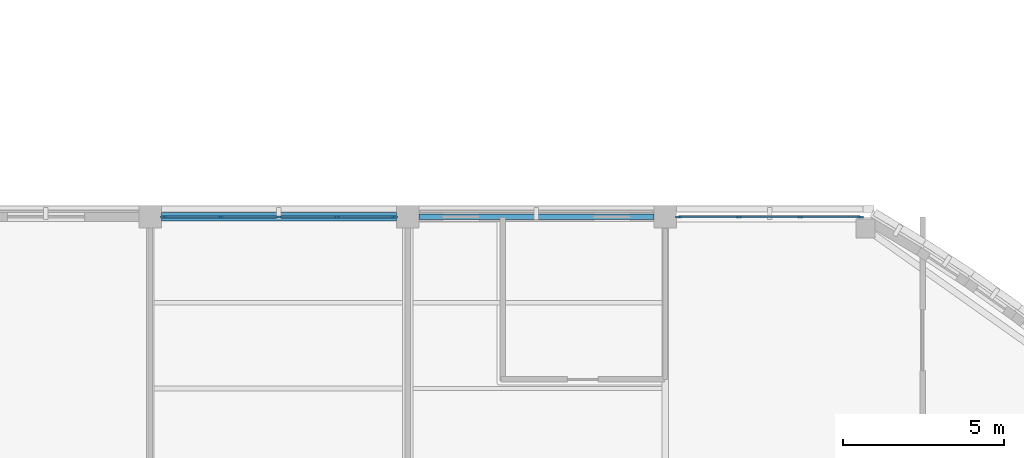
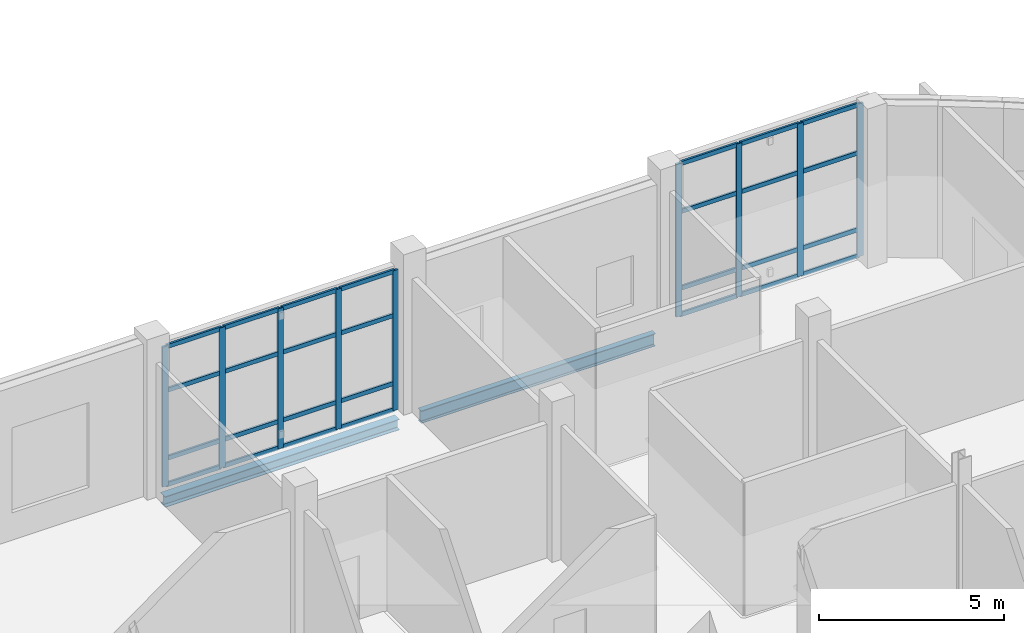
# One storey, part 32 of 105: 37 members, 2 beams, 2 elements without a shape of their own.
"""IFC4 building model written with IfcOpenShell, lengths in metres."""

import ifcopenshell
import ifcopenshell.guid

model = None  # the IFC model being written
_history = None  # IfcOwnerHistory: only IFC2X3 demands one
_inside = {}  # id of a spatial element -> (the spatial element, [elements in it])
_under = {}  # id of a project, library or spatial element -> (it, [spatial elements below it])
_declared = {}  # id of a project -> (the project, [libraries it declares])
_typed = {}  # id of a type object -> (the type object, [elements of that type])
_made_of = {}  # id of a material, layer set ... -> (it, [elements and type objects made of it])


def new_model(schema):
    """Start an empty IFC model of exactly this schema.

    Asked for "IFC4X3", IfcOpenShell would pick the latest addendum, in which some entities
    have other attributes; the version numbers below select the first issue.
    IFC2X3 requires an IfcOwnerHistory on every rooted entity: one is made here for all.
    """
    global model, _history
    if schema == "IFC4X3":
        model = ifcopenshell.file(schema_version=(4, 3, 0, 0))
    else:
        model = ifcopenshell.file(schema=schema)
    _inside.clear()
    _under.clear()
    _declared.clear()
    _typed.clear()
    _made_of.clear()
    _history = None
    if model.schema == "IFC2X3":
        org = make("IfcOrganization", Name="unknown")
        user = make(
            "IfcPersonAndOrganization",
            ThePerson=make("IfcPerson", FamilyName="unknown"),
            TheOrganization=org,
        )
        app = make(
            "IfcApplication",
            ApplicationDeveloper=org,
            Version="unknown",
            ApplicationFullName="unknown",
            ApplicationIdentifier="unknown",
        )
        _history = make(
            "IfcOwnerHistory",
            OwningUser=user,
            OwningApplication=app,
            ChangeAction="ADDED",
            CreationDate=0,
        )
    return model


def make(cls, **values):
    """One entity of the class cls with the attributes given. An attribute that is None is left unset."""
    return model.create_entity(
        cls, **{name: value for name, value in values.items() if value is not None}
    )


def rooted(cls, **values):
    """An entity with a GlobalId (a new one), such as an element, a storey or a relation."""
    return make(cls, GlobalId=ifcopenshell.guid.new(), OwnerHistory=_history, **values)


def si_unit(unit_type, name, prefix=None):
    """IfcSIUnit, for example si_unit("LENGTHUNIT", "METRE", prefix="MILLI")."""
    return make("IfcSIUnit", UnitType=unit_type, Prefix=prefix, Name=name)


def derived_unit(unit_type, elements):
    """IfcDerivedUnit: a product of units, each with its exponent."""
    return make(
        "IfcDerivedUnit",
        Elements=[
            make("IfcDerivedUnitElement", Unit=unit, Exponent=power)
            for unit, power in elements
        ],
        UnitType=unit_type,
    )


def assignment(units):
    """IfcUnitAssignment: the units of a project."""
    return None if units is None else make("IfcUnitAssignment", Units=units)


def point(xyz):
    """IfcCartesianPoint."""
    return None if xyz is None else make("IfcCartesianPoint", Coordinates=xyz)


def direction(xyz):
    """IfcDirection."""
    return None if xyz is None else make("IfcDirection", DirectionRatios=xyz)


def frame(location, z_axis=None, x_axis=None):
    """IfcAxis2Placement3D, a coordinate frame: its origin and axes. An axis left out is left unset."""
    return make(
        "IfcAxis2Placement3D",
        Location=point(location),
        Axis=direction(z_axis),
        RefDirection=direction(x_axis),
    )


def frame_2d(location, x_axis=None):
    """IfcAxis2Placement2D, a coordinate frame in the plane: its origin and x axis."""
    return make(
        "IfcAxis2Placement2D", Location=point(location), RefDirection=direction(x_axis)
    )


def origin():
    """The frame at (0, 0, 0) with its axes left unset."""
    return frame((0.0, 0.0, 0.0))


def origin_2d():
    """The frame at (0, 0) in the plane with its x axis left unset."""
    return frame_2d((0.0, 0.0))


def place(relative_to, where):
    """IfcLocalPlacement: puts the frame where relative to a parent placement (None: the world)."""
    return make(
        "IfcLocalPlacement", PlacementRelTo=relative_to, RelativePlacement=where
    )


def context(
    kind, dimensions, precision=None, world=None, true_north=None, identifier=None
):
    """IfcGeometricRepresentationContext, for example the 3D "Model" context."""
    return make(
        "IfcGeometricRepresentationContext",
        ContextIdentifier=identifier,
        ContextType=kind,
        CoordinateSpaceDimension=dimensions,
        Precision=precision,
        WorldCoordinateSystem=world,
        TrueNorth=true_north,
    )


def subcontext(parent, identifier, kind, view, scale=None):
    """IfcGeometricRepresentationSubContext, for example "Body" below "Model"."""
    return make(
        "IfcGeometricRepresentationSubContext",
        ContextIdentifier=identifier,
        ContextType=kind,
        ParentContext=parent,
        TargetScale=scale,
        TargetView=view,
    )


def project(units=None, contexts=None):
    """IfcProject with its units and contexts."""
    return rooted(
        "IfcProject",
        Name="project",
        RepresentationContexts=contexts,
        UnitsInContext=assignment(units),
    )


def spatial(cls, under=None, at=None, **own):
    """A site, building, storey or space (cls), placed at a placement, below another one or the project."""
    s = rooted(cls, ObjectPlacement=at, **own)
    if under is not None:
        _under.setdefault(under.id(), (under, []))[1].append(s)
    return s


def profile(cls, at=None, kind="AREA", **sizes):
    """A parametric profile (cls). Its sizes go by their IFC names, for example OverallWidth=200.0."""
    return make(cls, ProfileType=kind, Position=at, **sizes)


def rectangle(**sizes):
    """IfcRectangleProfileDef."""
    return profile("IfcRectangleProfileDef", **sizes)


def i_section(**sizes):
    """IfcIShapeProfileDef."""
    return profile("IfcIShapeProfileDef", **sizes)


def extrude(swept, where, along, depth):
    """IfcExtrudedAreaSolid: the profile swept, set in the frame where, extruded along a direction by depth."""
    return make(
        "IfcExtrudedAreaSolid",
        SweptArea=swept,
        Position=where,
        ExtrudedDirection=direction(along),
        Depth=depth,
    )


def shape(context_of_items, identifier, shape_type, items):
    """IfcShapeRepresentation: the items that make up one representation, for example the "Body"."""
    return make(
        "IfcShapeRepresentation",
        ContextOfItems=context_of_items,
        RepresentationIdentifier=identifier,
        RepresentationType=shape_type,
        Items=items,
    )


def material(Name=None, Category=None):
    """IfcMaterial."""
    return make("IfcMaterial", Name=Name, Category=Category)


def layer(
    of_material, thickness, ventilated=None, Name=None, Category=None, Priority=None
):
    """IfcMaterialLayer: one layer of a wall or slab, of a material (None: an air gap)."""
    return make(
        "IfcMaterialLayer",
        Material=of_material,
        LayerThickness=thickness,
        IsVentilated=ventilated,
        Name=Name,
        Category=Category,
        Priority=Priority,
    )


def layer_set(layers, Name=None):
    """IfcMaterialLayerSet."""
    return make("IfcMaterialLayerSet", MaterialLayers=layers, LayerSetName=Name)


def material_profile(
    of_material, cross_section, Name=None, Category=None, Priority=None
):
    """IfcMaterialProfile: a cross section and its material."""
    return make(
        "IfcMaterialProfile",
        Name=Name,
        Material=of_material,
        Profile=cross_section,
        Priority=Priority,
        Category=Category,
    )


def profile_set(profiles, Name=None, composite=None):
    """IfcMaterialProfileSet."""
    return make(
        "IfcMaterialProfileSet",
        Name=Name,
        MaterialProfiles=profiles,
        CompositeProfile=composite,
    )


def made_of(thing, what):
    """Note that an element or type object is made of a material, layer set ...; save() writes the relation."""
    if what is not None:
        _made_of.setdefault(what.id(), (what, []))[1].append(thing)
    return thing


def type_object(cls, material=None, **own):
    """A type object (cls), such as IfcWallType, which elements share."""
    return made_of(rooted(cls, **own), material)


def element(
    cls,
    number,
    at=None,
    inside=None,
    cuts=None,
    type_object=None,
    material=None,
    context=None,
    identifier="Body",
    shape_type=None,
    held_by="IfcProductDefinitionShape",
    body=None,
    shapes=None,
    **own,
):
    """One element of the class cls, such as IfcWall. Its Tag is "e" and its number.

    at: its placement. inside: the storey or other place that contains it. cuts: it is an
    opening in that element (IfcRelVoidsElement). A single representation is given by context,
    identifier, shape_type and body (its items); several are given by shapes. held_by: the class
    of the entity that holds the representations. save() writes the other relations.
    """
    e = rooted(cls, Tag="e%d" % number, ObjectPlacement=at, **own)
    if body is not None:
        shapes = [shape(context, identifier, shape_type, body)]
    if shapes is not None:
        e.Representation = make(held_by, Representations=shapes)
    if inside is not None:
        _inside.setdefault(inside.id(), (inside, []))[1].append(e)
    if cuts is not None:
        rooted(
            "IfcRelVoidsElement", RelatingBuildingElement=cuts, RelatedOpeningElement=e
        )
    if type_object is not None:
        _typed.setdefault(type_object.id(), (type_object, []))[1].append(e)
    return made_of(e, material)


def aggregate(whole, parts):
    """IfcRelAggregates: a whole, such as a stair, and the parts it consists of."""
    return rooted("IfcRelAggregates", RelatingObject=whole, RelatedObjects=parts)


def save(model, path):
    """Write the relations noted so far, then the file.

    IfcRelAggregates (storeys below a building ...), IfcRelContainedInSpatialStructure (elements
    in a storey), IfcRelDefinesByType, IfcRelAssociatesMaterial and IfcRelDeclares: one each for
    every whole, place, type object, material and project.
    """
    for whole, parts in _under.values():
        aggregate(whole, parts)
    for where, things in _inside.values():
        rooted(
            "IfcRelContainedInSpatialStructure",
            RelatedElements=things,
            RelatingStructure=where,
        )
    for kind, things in _typed.values():
        rooted("IfcRelDefinesByType", RelatedObjects=things, RelatingType=kind)
    for what, things in _made_of.values():
        rooted("IfcRelAssociatesMaterial", RelatedObjects=things, RelatingMaterial=what)
    for by, libraries in _declared.values():
        rooted("IfcRelDeclares", RelatingContext=by, RelatedDefinitions=libraries)
    model.write(path)


model = new_model("IFC4")

# Units and contexts
model_context = context("Model", 3, precision=1e-05, world=origin(), true_north=direction((0.0, 1.0)))
body_context = subcontext(model_context, "Body", "Model", "MODEL_VIEW")
ifc_project = project(units=[si_unit("LENGTHUNIT", "METRE"), si_unit("AREAUNIT", "SQUARE_METRE"), si_unit("VOLUMEUNIT", "CUBIC_METRE"), si_unit("PLANEANGLEUNIT", "RADIAN"), si_unit("MASSUNIT", "GRAM", prefix="KILO"), derived_unit("THERMALTRANSMITTANCEUNIT", [(si_unit("MASSUNIT", "GRAM", prefix="KILO"), 1), (si_unit("TIMEUNIT", "SECOND"), -3), (si_unit("THERMODYNAMICTEMPERATUREUNIT", "KELVIN"), -1)])], contexts=[model_context])

# Site, building, storey
site_placement = place(None, origin())
site = spatial("IfcSite", under=ifc_project, at=site_placement, CompositionType="ELEMENT")
building_placement = place(site_placement, origin())
building = spatial("IfcBuilding", under=site, at=building_placement, Name="Veyamyaing Civic Hall", CompositionType="ELEMENT")
storey_placement = place(building_placement, origin())
storey = spatial("IfcBuildingStorey", under=building, at=storey_placement, Name="L00", CompositionType="ELEMENT", Elevation=0.0)

# Beams
ifc_material_1 = material(Name="Steel ASTM A992", Category="steel")
ifc_material_profile_1 = material_profile(ifc_material_1, i_section(OverallWidth=0.179931640625, OverallDepth=0.4130859375, WebThickness=0.009765625, FlangeThickness=0.01611328125, FilletRadius=0.010009765625, at=origin_2d()), Name="W410X74")
ifc_profile_set_1 = profile_set([ifc_material_profile_1], Name="Steel ASTM A992")
beam_type_1 = type_object("IfcBeamType", Name="B-10", PredefinedType="SPANDREL", material=ifc_profile_set_1)
beam_1_placement = place(storey_placement, frame((88.35009765625, 96.0, -0.471435546875), z_axis=(1.0, 0.0, 0.0), x_axis=(0.0, 1.0, 0.0)))
element("IfcBeam", 1, at=beam_1_placement, inside=storey, type_object=beam_type_1, Name="Girder B-10 L00 Grid N 12-13", PredefinedType="SPANDREL", context=body_context, shape_type="SweptSolid", body=[
    extrude(i_section(OverallWidth=0.179931640625, OverallDepth=0.4130859375, WebThickness=0.009765625, FlangeThickness=0.01611328125, FilletRadius=0.010009765625, at=origin_2d()), origin(), (0.0, 0.0, 1.0), 7.2998046875),
])
ifc_material_profile_2 = material_profile(ifc_material_1, i_section(OverallWidth=0.25390625, OverallDepth=0.35302734375, WebThickness=0.009521484375, FlangeThickness=0.016357421875, FilletRadius=0.011962890625, at=origin_2d()), Name="W360X91")
ifc_profile_set_2 = profile_set([ifc_material_profile_2], Name="Steel ASTM A992")
beam_type_2 = type_object("IfcBeamType", Name="B-20", PredefinedType="SPANDREL", material=ifc_profile_set_2)
beam_2_placement = place(storey_placement, frame((80.35009765625, 96.0, -0.44140625), z_axis=(1.0, 0.0, 0.0), x_axis=(0.0, 1.0, 0.0)))
element("IfcBeam", 2, at=beam_2_placement, inside=storey, type_object=beam_type_2, Name="Girder B-20 L00 Grid N 11-12", PredefinedType="SPANDREL", context=body_context, shape_type="SweptSolid", body=[
    extrude(i_section(OverallWidth=0.25390625, OverallDepth=0.35302734375, WebThickness=0.009521484375, FlangeThickness=0.016357421875, FilletRadius=0.011962890625, at=origin_2d()), origin(), (0.0, 0.0, 1.0), 7.2998046875),
])

# Curtain wall, members
ifc_material_2 = material(Name="Anodised aluminium 6063-T6", Category="aluminium")
ifc_layer = layer(ifc_material_2, 0.179931640625, Name="Anodised aluminium 6063-T6")
ifc_layer_set = layer_set([ifc_layer], Name="Anodised aluminium 6063-T6")
curtain_wall_type = type_object("IfcCurtainWallType", Name="CW-06", PredefinedType="NOTDEFINED", material=ifc_layer_set)
curtain_wall_1_placement = place(storey_placement, origin())
curtain_wall_1 = element("IfcCurtainWall", 3, at=curtain_wall_1_placement, inside=storey, type_object=curtain_wall_type, Name="Unitized curtain wall CW-06 L00 N 11.12", PredefinedType="NOTDEFINED")
ifc_material_profile_3 = material_profile(ifc_material_2, rectangle(XDim=0.06494140625, YDim=0.179931640625, at=origin_2d()), Name="ALU-MUL-65X180")
ifc_profile_set_3 = profile_set([ifc_material_profile_3], Name="Anodised aluminium 6063-T6")
member_type_1 = type_object("IfcMemberType", Name="CWM-02", PredefinedType="MULLION", material=ifc_profile_set_3)
member_1_placement = place(storey_placement, frame((80.41259765625, 96.0, 0.0), z_axis=(0.0, 0.0, 1.0), x_axis=(0.0, 1.0, 0.0)))
member_1 = element("IfcMember", 4, at=member_1_placement, type_object=member_type_1, Name="CW-06 mullion 1", PredefinedType="MULLION", context=body_context, shape_type="SweptSolid", body=[
    extrude(rectangle(XDim=0.06494140625, YDim=0.179931640625, at=origin_2d()), origin(), (0.0, 0.0, 1.0), 4.614013671875),
])
member_2_placement = place(storey_placement, frame((82.18994140625, 96.0, 0.0), z_axis=(0.0, 0.0, 1.0), x_axis=(0.0, 1.0, 0.0)))
member_2 = element("IfcMember", 5, at=member_2_placement, type_object=member_type_1, Name="CW-06 mullion 2", PredefinedType="MULLION", context=body_context, shape_type="SweptSolid", body=[
    extrude(rectangle(XDim=0.06494140625, YDim=0.179931640625, at=origin_2d()), origin(), (0.0, 0.0, 1.0), 4.614013671875),
])
member_3_placement = place(storey_placement, frame((84.0, 96.0, 0.0), z_axis=(0.0, 0.0, 1.0), x_axis=(0.0, 1.0, 0.0)))
member_3 = element("IfcMember", 6, at=member_3_placement, type_object=member_type_1, Name="CW-06 mullion 3", PredefinedType="MULLION", context=body_context, shape_type="SweptSolid", body=[
    extrude(rectangle(XDim=0.06494140625, YDim=0.179931640625, at=origin_2d()), origin(), (0.0, 0.0, 1.0), 4.614013671875),
])
member_4_placement = place(storey_placement, frame((85.81005859375, 96.0, 0.0), z_axis=(0.0, 0.0, 1.0), x_axis=(0.0, 1.0, 0.0)))
member_4 = element("IfcMember", 7, at=member_4_placement, type_object=member_type_1, Name="CW-06 mullion 4", PredefinedType="MULLION", context=body_context, shape_type="SweptSolid", body=[
    extrude(rectangle(XDim=0.06494140625, YDim=0.179931640625, at=origin_2d()), origin(), (0.0, 0.0, 1.0), 4.614013671875),
])
member_5_placement = place(storey_placement, frame((87.58740234375, 96.0, 0.0), z_axis=(0.0, 0.0, 1.0), x_axis=(0.0, 1.0, 0.0)))
member_5 = element("IfcMember", 8, at=member_5_placement, type_object=member_type_1, Name="CW-06 mullion 5", PredefinedType="MULLION", context=body_context, shape_type="SweptSolid", body=[
    extrude(rectangle(XDim=0.06494140625, YDim=0.179931640625, at=origin_2d()), origin(), (0.0, 0.0, 1.0), 4.614013671875),
])

curtain_wall_2_placement = place(storey_placement, origin())
curtain_wall_2 = element("IfcCurtainWall", 9, at=curtain_wall_2_placement, inside=storey, type_object=curtain_wall_type, Name="Unitized curtain wall CW-06 L00 N 13.12", PredefinedType="NOTDEFINED")
member_6_placement = place(storey_placement, frame((96.41259765625, 96.0, 0.0), z_axis=(0.0, 0.0, 1.0), x_axis=(0.0, 1.0, 0.0)))
member_6 = element("IfcMember", 10, at=member_6_placement, type_object=member_type_1, Name="CW-06 mullion 1", PredefinedType="MULLION", context=body_context, shape_type="SweptSolid", body=[
    extrude(rectangle(XDim=0.06494140625, YDim=0.179931640625, at=origin_2d()), origin(), (0.0, 0.0, 1.0), 5.034912109375),
])
member_7_placement = place(storey_placement, frame((98.286865234375, 96.0, 0.0), z_axis=(0.0, 0.0, 1.0), x_axis=(0.0, 1.0, 0.0)))
member_7 = element("IfcMember", 11, at=member_7_placement, type_object=member_type_1, Name="CW-06 mullion 2", PredefinedType="MULLION", context=body_context, shape_type="SweptSolid", body=[
    extrude(rectangle(XDim=0.06494140625, YDim=0.179931640625, at=origin_2d()), origin(), (0.0, 0.0, 1.0), 5.034912109375),
])
member_8_placement = place(storey_placement, frame((100.19384765625, 96.0, 0.0), z_axis=(0.0, 0.0, 1.0), x_axis=(0.0, 1.0, 0.0)))
member_8 = element("IfcMember", 12, at=member_8_placement, type_object=member_type_1, Name="CW-06 mullion 3", PredefinedType="MULLION", context=body_context, shape_type="SweptSolid", body=[
    extrude(rectangle(XDim=0.06494140625, YDim=0.179931640625, at=origin_2d()), origin(), (0.0, 0.0, 1.0), 5.034912109375),
])
member_9_placement = place(storey_placement, frame((102.068359375, 96.0, 0.0), z_axis=(0.0, 0.0, 1.0), x_axis=(0.0, 1.0, 0.0)))
member_9 = element("IfcMember", 13, at=member_9_placement, type_object=member_type_1, Name="CW-06 mullion 4", PredefinedType="MULLION", context=body_context, shape_type="SweptSolid", body=[
    extrude(rectangle(XDim=0.06494140625, YDim=0.179931640625, at=origin_2d()), origin(), (0.0, 0.0, 1.0), 5.034912109375),
])

# Member
ifc_material_profile_4 = material_profile(ifc_material_2, rectangle(XDim=0.06494140625, YDim=0.139892578125, at=origin_2d()), Name="ALU-TRN-65X140")
ifc_profile_set_4 = profile_set([ifc_material_profile_4], Name="Anodised aluminium 6063-T6")
member_type_2 = type_object("IfcMemberType", Name="CWT-02", PredefinedType="USERDEFINED", material=ifc_profile_set_4)
member_10_placement = place(storey_placement, frame((80.445068359375, 96.0, 0.032470703125), z_axis=(1.0, 0.0, 0.0), x_axis=(0.0, 1.0, 0.0)))
member_10 = element("IfcMember", 14, at=member_10_placement, type_object=member_type_2, Name="CW-06 transom 1.1", ObjectType="TRANSOM", PredefinedType="USERDEFINED", context=body_context, shape_type="SweptSolid", body=[
    extrude(rectangle(XDim=0.06494140625, YDim=0.139892578125, at=origin_2d()), origin(), (0.0, 0.0, 1.0), 1.71240234375),
])

member_11_placement = place(storey_placement, frame((80.445068359375, 96.0, 0.89990234375), z_axis=(1.0, 0.0, 0.0), x_axis=(0.0, 1.0, 0.0)))
member_11 = element("IfcMember", 15, at=member_11_placement, type_object=member_type_2, Name="CW-06 transom 1.2", ObjectType="TRANSOM", PredefinedType="USERDEFINED", context=body_context, shape_type="SweptSolid", body=[
    extrude(rectangle(XDim=0.06494140625, YDim=0.139892578125, at=origin_2d()), origin(), (0.0, 0.0, 1.0), 1.71240234375),
])

member_12_placement = place(storey_placement, frame((80.445068359375, 96.0, 3.137451171875), z_axis=(1.0, 0.0, 0.0), x_axis=(0.0, 1.0, 0.0)))
member_12 = element("IfcMember", 16, at=member_12_placement, type_object=member_type_2, Name="CW-06 transom 1.3", ObjectType="TRANSOM", PredefinedType="USERDEFINED", context=body_context, shape_type="SweptSolid", body=[
    extrude(rectangle(XDim=0.06494140625, YDim=0.139892578125, at=origin_2d()), origin(), (0.0, 0.0, 1.0), 1.71240234375),
])

member_13_placement = place(storey_placement, frame((80.445068359375, 96.0, 4.58154296875), z_axis=(1.0, 0.0, 0.0), x_axis=(0.0, 1.0, 0.0)))
member_13 = element("IfcMember", 17, at=member_13_placement, type_object=member_type_2, Name="CW-06 transom 1.4", ObjectType="TRANSOM", PredefinedType="USERDEFINED", context=body_context, shape_type="SweptSolid", body=[
    extrude(rectangle(XDim=0.06494140625, YDim=0.139892578125, at=origin_2d()), origin(), (0.0, 0.0, 1.0), 1.71240234375),
])

member_14_placement = place(storey_placement, frame((82.222412109375, 96.0, 0.032470703125), z_axis=(1.0, 0.0, 0.0), x_axis=(0.0, 1.0, 0.0)))
member_14 = element("IfcMember", 18, at=member_14_placement, type_object=member_type_2, Name="CW-06 transom 2.1", ObjectType="TRANSOM", PredefinedType="USERDEFINED", context=body_context, shape_type="SweptSolid", body=[
    extrude(rectangle(XDim=0.06494140625, YDim=0.139892578125, at=origin_2d()), origin(), (0.0, 0.0, 1.0), 1.7451171875),
])

member_15_placement = place(storey_placement, frame((82.222412109375, 96.0, 0.89990234375), z_axis=(1.0, 0.0, 0.0), x_axis=(0.0, 1.0, 0.0)))
member_15 = element("IfcMember", 19, at=member_15_placement, type_object=member_type_2, Name="CW-06 transom 2.2", ObjectType="TRANSOM", PredefinedType="USERDEFINED", context=body_context, shape_type="SweptSolid", body=[
    extrude(rectangle(XDim=0.06494140625, YDim=0.139892578125, at=origin_2d()), origin(), (0.0, 0.0, 1.0), 1.7451171875),
])

member_16_placement = place(storey_placement, frame((82.222412109375, 96.0, 3.137451171875), z_axis=(1.0, 0.0, 0.0), x_axis=(0.0, 1.0, 0.0)))
member_16 = element("IfcMember", 20, at=member_16_placement, type_object=member_type_2, Name="CW-06 transom 2.3", ObjectType="TRANSOM", PredefinedType="USERDEFINED", context=body_context, shape_type="SweptSolid", body=[
    extrude(rectangle(XDim=0.06494140625, YDim=0.139892578125, at=origin_2d()), origin(), (0.0, 0.0, 1.0), 1.7451171875),
])

member_17_placement = place(storey_placement, frame((82.222412109375, 96.0, 4.58154296875), z_axis=(1.0, 0.0, 0.0), x_axis=(0.0, 1.0, 0.0)))
member_17 = element("IfcMember", 21, at=member_17_placement, type_object=member_type_2, Name="CW-06 transom 2.4", ObjectType="TRANSOM", PredefinedType="USERDEFINED", context=body_context, shape_type="SweptSolid", body=[
    extrude(rectangle(XDim=0.06494140625, YDim=0.139892578125, at=origin_2d()), origin(), (0.0, 0.0, 1.0), 1.7451171875),
])

member_18_placement = place(storey_placement, frame((84.032470703125, 96.0, 0.032470703125), z_axis=(1.0, 0.0, 0.0), x_axis=(0.0, 1.0, 0.0)))
member_18 = element("IfcMember", 22, at=member_18_placement, type_object=member_type_2, Name="CW-06 transom 3.1", ObjectType="TRANSOM", PredefinedType="USERDEFINED", context=body_context, shape_type="SweptSolid", body=[
    extrude(rectangle(XDim=0.06494140625, YDim=0.139892578125, at=origin_2d()), origin(), (0.0, 0.0, 1.0), 1.7451171875),
])

member_19_placement = place(storey_placement, frame((84.032470703125, 96.0, 0.89990234375), z_axis=(1.0, 0.0, 0.0), x_axis=(0.0, 1.0, 0.0)))
member_19 = element("IfcMember", 23, at=member_19_placement, type_object=member_type_2, Name="CW-06 transom 3.2", ObjectType="TRANSOM", PredefinedType="USERDEFINED", context=body_context, shape_type="SweptSolid", body=[
    extrude(rectangle(XDim=0.06494140625, YDim=0.139892578125, at=origin_2d()), origin(), (0.0, 0.0, 1.0), 1.7451171875),
])

member_20_placement = place(storey_placement, frame((84.032470703125, 96.0, 3.137451171875), z_axis=(1.0, 0.0, 0.0), x_axis=(0.0, 1.0, 0.0)))
member_20 = element("IfcMember", 24, at=member_20_placement, type_object=member_type_2, Name="CW-06 transom 3.3", ObjectType="TRANSOM", PredefinedType="USERDEFINED", context=body_context, shape_type="SweptSolid", body=[
    extrude(rectangle(XDim=0.06494140625, YDim=0.139892578125, at=origin_2d()), origin(), (0.0, 0.0, 1.0), 1.7451171875),
])

member_21_placement = place(storey_placement, frame((84.032470703125, 96.0, 4.58154296875), z_axis=(1.0, 0.0, 0.0), x_axis=(0.0, 1.0, 0.0)))
member_21 = element("IfcMember", 25, at=member_21_placement, type_object=member_type_2, Name="CW-06 transom 3.4", ObjectType="TRANSOM", PredefinedType="USERDEFINED", context=body_context, shape_type="SweptSolid", body=[
    extrude(rectangle(XDim=0.06494140625, YDim=0.139892578125, at=origin_2d()), origin(), (0.0, 0.0, 1.0), 1.7451171875),
])

member_22_placement = place(storey_placement, frame((85.842529296875, 96.0, 0.032470703125), z_axis=(1.0, 0.0, 0.0), x_axis=(0.0, 1.0, 0.0)))
member_22 = element("IfcMember", 26, at=member_22_placement, type_object=member_type_2, Name="CW-06 transom 4.1", ObjectType="TRANSOM", PredefinedType="USERDEFINED", context=body_context, shape_type="SweptSolid", body=[
    extrude(rectangle(XDim=0.06494140625, YDim=0.139892578125, at=origin_2d()), origin(), (0.0, 0.0, 1.0), 1.71240234375),
])

member_23_placement = place(storey_placement, frame((85.842529296875, 96.0, 0.89990234375), z_axis=(1.0, 0.0, 0.0), x_axis=(0.0, 1.0, 0.0)))
member_23 = element("IfcMember", 27, at=member_23_placement, type_object=member_type_2, Name="CW-06 transom 4.2", ObjectType="TRANSOM", PredefinedType="USERDEFINED", context=body_context, shape_type="SweptSolid", body=[
    extrude(rectangle(XDim=0.06494140625, YDim=0.139892578125, at=origin_2d()), origin(), (0.0, 0.0, 1.0), 1.71240234375),
])

member_24_placement = place(storey_placement, frame((85.842529296875, 96.0, 3.137451171875), z_axis=(1.0, 0.0, 0.0), x_axis=(0.0, 1.0, 0.0)))
member_24 = element("IfcMember", 28, at=member_24_placement, type_object=member_type_2, Name="CW-06 transom 4.3", ObjectType="TRANSOM", PredefinedType="USERDEFINED", context=body_context, shape_type="SweptSolid", body=[
    extrude(rectangle(XDim=0.06494140625, YDim=0.139892578125, at=origin_2d()), origin(), (0.0, 0.0, 1.0), 1.71240234375),
])

member_25_placement = place(storey_placement, frame((85.842529296875, 96.0, 4.58154296875), z_axis=(1.0, 0.0, 0.0), x_axis=(0.0, 1.0, 0.0)))
member_25 = element("IfcMember", 29, at=member_25_placement, type_object=member_type_2, Name="CW-06 transom 4.4", ObjectType="TRANSOM", PredefinedType="USERDEFINED", context=body_context, shape_type="SweptSolid", body=[
    extrude(rectangle(XDim=0.06494140625, YDim=0.139892578125, at=origin_2d()), origin(), (0.0, 0.0, 1.0), 1.71240234375),
])

aggregate(curtain_wall_1, [member_1, member_2, member_3, member_4, member_5, member_10, member_11, member_12, member_13, member_14, member_15, member_16, member_17, member_18, member_19, member_20, member_21, member_22, member_23, member_24, member_25])

member_26_placement = place(storey_placement, frame((96.445068359375, 96.0, 0.032470703125), z_axis=(1.0, 0.0, 0.0), x_axis=(0.0, 1.0, 0.0)))
member_26 = element("IfcMember", 30, at=member_26_placement, type_object=member_type_2, Name="CW-06 transom 1.1", ObjectType="TRANSOM", PredefinedType="USERDEFINED", context=body_context, shape_type="SweptSolid", body=[
    extrude(rectangle(XDim=0.06494140625, YDim=0.139892578125, at=origin_2d()), origin(), (0.0, 0.0, 1.0), 1.809326171875),
])

member_27_placement = place(storey_placement, frame((96.445068359375, 96.0, 0.89990234375), z_axis=(1.0, 0.0, 0.0), x_axis=(0.0, 1.0, 0.0)))
member_27 = element("IfcMember", 31, at=member_27_placement, type_object=member_type_2, Name="CW-06 transom 1.2", ObjectType="TRANSOM", PredefinedType="USERDEFINED", context=body_context, shape_type="SweptSolid", body=[
    extrude(rectangle(XDim=0.06494140625, YDim=0.139892578125, at=origin_2d()), origin(), (0.0, 0.0, 1.0), 1.809326171875),
])

member_28_placement = place(storey_placement, frame((96.445068359375, 96.0, 3.423828125), z_axis=(1.0, 0.0, 0.0), x_axis=(0.0, 1.0, 0.0)))
member_28 = element("IfcMember", 32, at=member_28_placement, type_object=member_type_2, Name="CW-06 transom 1.3", ObjectType="TRANSOM", PredefinedType="USERDEFINED", context=body_context, shape_type="SweptSolid", body=[
    extrude(rectangle(XDim=0.06494140625, YDim=0.139892578125, at=origin_2d()), origin(), (0.0, 0.0, 1.0), 1.809326171875),
])

member_29_placement = place(storey_placement, frame((96.445068359375, 96.0, 5.00244140625), z_axis=(1.0, 0.0, 0.0), x_axis=(0.0, 1.0, 0.0)))
member_29 = element("IfcMember", 33, at=member_29_placement, type_object=member_type_2, Name="CW-06 transom 1.4", ObjectType="TRANSOM", PredefinedType="USERDEFINED", context=body_context, shape_type="SweptSolid", body=[
    extrude(rectangle(XDim=0.06494140625, YDim=0.139892578125, at=origin_2d()), origin(), (0.0, 0.0, 1.0), 1.809326171875),
])

member_30_placement = place(storey_placement, frame((98.3193359375, 96.0, 0.032470703125), z_axis=(1.0, 0.0, 0.0), x_axis=(0.0, 1.0, 0.0)))
member_30 = element("IfcMember", 34, at=member_30_placement, type_object=member_type_2, Name="CW-06 transom 2.1", ObjectType="TRANSOM", PredefinedType="USERDEFINED", context=body_context, shape_type="SweptSolid", body=[
    extrude(rectangle(XDim=0.06494140625, YDim=0.139892578125, at=origin_2d()), origin(), (0.0, 0.0, 1.0), 1.842041015625),
])

member_31_placement = place(storey_placement, frame((98.3193359375, 96.0, 0.89990234375), z_axis=(1.0, 0.0, 0.0), x_axis=(0.0, 1.0, 0.0)))
member_31 = element("IfcMember", 35, at=member_31_placement, type_object=member_type_2, Name="CW-06 transom 2.2", ObjectType="TRANSOM", PredefinedType="USERDEFINED", context=body_context, shape_type="SweptSolid", body=[
    extrude(rectangle(XDim=0.06494140625, YDim=0.139892578125, at=origin_2d()), origin(), (0.0, 0.0, 1.0), 1.842041015625),
])

member_32_placement = place(storey_placement, frame((98.3193359375, 96.0, 3.423828125), z_axis=(1.0, 0.0, 0.0), x_axis=(0.0, 1.0, 0.0)))
member_32 = element("IfcMember", 36, at=member_32_placement, type_object=member_type_2, Name="CW-06 transom 2.3", ObjectType="TRANSOM", PredefinedType="USERDEFINED", context=body_context, shape_type="SweptSolid", body=[
    extrude(rectangle(XDim=0.06494140625, YDim=0.139892578125, at=origin_2d()), origin(), (0.0, 0.0, 1.0), 1.842041015625),
])

member_33_placement = place(storey_placement, frame((98.3193359375, 96.0, 5.00244140625), z_axis=(1.0, 0.0, 0.0), x_axis=(0.0, 1.0, 0.0)))
member_33 = element("IfcMember", 37, at=member_33_placement, type_object=member_type_2, Name="CW-06 transom 2.4", ObjectType="TRANSOM", PredefinedType="USERDEFINED", context=body_context, shape_type="SweptSolid", body=[
    extrude(rectangle(XDim=0.06494140625, YDim=0.139892578125, at=origin_2d()), origin(), (0.0, 0.0, 1.0), 1.842041015625),
])

member_34_placement = place(storey_placement, frame((100.226318359375, 96.0, 0.032470703125), z_axis=(1.0, 0.0, 0.0), x_axis=(0.0, 1.0, 0.0)))
member_34 = element("IfcMember", 38, at=member_34_placement, type_object=member_type_2, Name="CW-06 transom 3.1", ObjectType="TRANSOM", PredefinedType="USERDEFINED", context=body_context, shape_type="SweptSolid", body=[
    extrude(rectangle(XDim=0.06494140625, YDim=0.139892578125, at=origin_2d()), origin(), (0.0, 0.0, 1.0), 1.8095703125),
])

member_35_placement = place(storey_placement, frame((100.226318359375, 96.0, 0.89990234375), z_axis=(1.0, 0.0, 0.0), x_axis=(0.0, 1.0, 0.0)))
member_35 = element("IfcMember", 39, at=member_35_placement, type_object=member_type_2, Name="CW-06 transom 3.2", ObjectType="TRANSOM", PredefinedType="USERDEFINED", context=body_context, shape_type="SweptSolid", body=[
    extrude(rectangle(XDim=0.06494140625, YDim=0.139892578125, at=origin_2d()), origin(), (0.0, 0.0, 1.0), 1.8095703125),
])

member_36_placement = place(storey_placement, frame((100.226318359375, 96.0, 3.423828125), z_axis=(1.0, 0.0, 0.0), x_axis=(0.0, 1.0, 0.0)))
member_36 = element("IfcMember", 40, at=member_36_placement, type_object=member_type_2, Name="CW-06 transom 3.3", ObjectType="TRANSOM", PredefinedType="USERDEFINED", context=body_context, shape_type="SweptSolid", body=[
    extrude(rectangle(XDim=0.06494140625, YDim=0.139892578125, at=origin_2d()), origin(), (0.0, 0.0, 1.0), 1.8095703125),
])

member_37_placement = place(storey_placement, frame((100.226318359375, 96.0, 5.00244140625), z_axis=(1.0, 0.0, 0.0), x_axis=(0.0, 1.0, 0.0)))
member_37 = element("IfcMember", 41, at=member_37_placement, type_object=member_type_2, Name="CW-06 transom 3.4", ObjectType="TRANSOM", PredefinedType="USERDEFINED", context=body_context, shape_type="SweptSolid", body=[
    extrude(rectangle(XDim=0.06494140625, YDim=0.139892578125, at=origin_2d()), origin(), (0.0, 0.0, 1.0), 1.8095703125),
])

aggregate(curtain_wall_2, [member_6, member_7, member_8, member_9, member_26, member_27, member_28, member_29, member_30, member_31, member_32, member_33, member_34, member_35, member_36, member_37])

save(model, "model.ifc")
